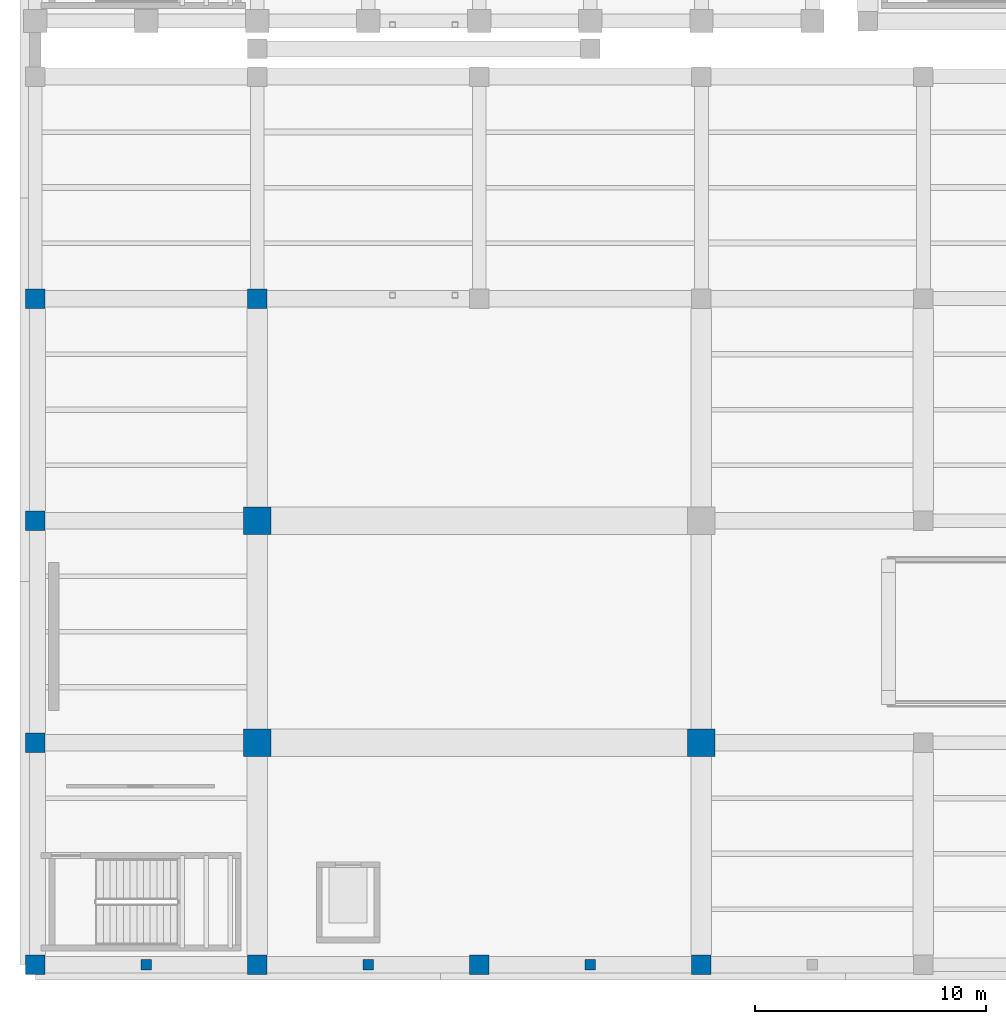
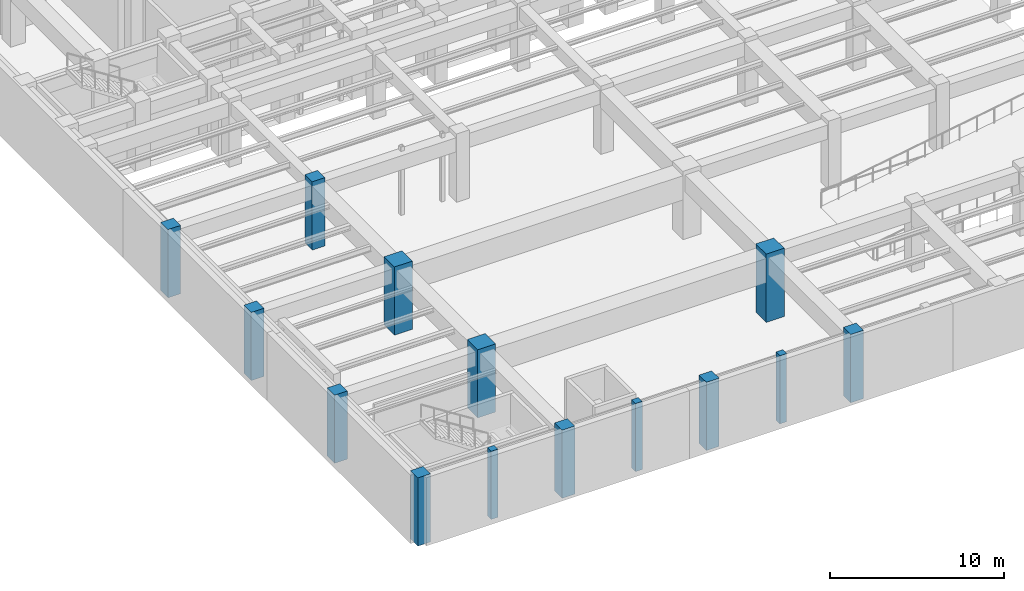
# One storey, part 1 of 45: 14 columns.
"""IFC4 building model written with IfcOpenShell, lengths in metres."""

from ifc_helpers import new_model, si_unit, direction, frame, origin, origin_2d, place, context, subcontext, project, spatial, rectangle, extrude, material, material_profile, profile_set, type_object, element, save


model = new_model("IFC4")

# Units and contexts
model_context = context("Model", 3, precision=1e-05, world=origin(), true_north=direction((0.0, 1.0)))
body_context = subcontext(model_context, "Body", "Model", "MODEL_VIEW")
ifc_project = project(units=[si_unit("LENGTHUNIT", "METRE"), si_unit("AREAUNIT", "SQUARE_METRE"), si_unit("VOLUMEUNIT", "CUBIC_METRE"), si_unit("PLANEANGLEUNIT", "RADIAN"), si_unit("MASSUNIT", "GRAM", prefix="KILO")], contexts=[model_context])

# Site, building, storey
site_placement = place(None, origin())
site = spatial("IfcSite", under=ifc_project, at=site_placement, CompositionType="ELEMENT")
building_placement = place(site_placement, origin())
building = spatial("IfcBuilding", under=site, at=building_placement, Name="Mavantir Sound Aquarium", CompositionType="ELEMENT")
storey_placement = place(building_placement, frame((0.0, 0.0, -4.800048828125)))
storey = spatial("IfcBuildingStorey", under=building, at=storey_placement, Name="B1", CompositionType="ELEMENT", Elevation=-4.800048828125)

# Columns
ifc_material = material(Name="Concrete C40/50", Category="concrete")
ifc_material_profile_1 = material_profile(ifc_material, rectangle(XDim=1.199951171875, YDim=1.199951171875, at=origin_2d()), Name="RC 1200X1200")
ifc_profile_set_1 = profile_set([ifc_material_profile_1], Name="Concrete C40/50")
column_type_1 = type_object("IfcColumnType", Name="COL-RC1200-I", PredefinedType="COLUMN", material=ifc_profile_set_1)
for number, where, z_axis, x_axis, name in (
    (1, (9.60009765625, 9.60009765625, 0.0), (0.0, 0.0, 1.0), (1.0, 0.0, 0.0), "B1 column RC-C12 (V3)"),
    (2, (9.60009765625, 19.199951171875, 0.0), (0.0, 0.0, 1.0), (1.0, 0.0, 0.0), "B1 column RC-C12 (V3)"),
    (3, (28.800048828125, 9.60009765625, 0.0), (0.0, 0.0, 1.0), (1.0, 0.0, 0.0), "B1 column RC-C12 (V3)"),
):
    element("IfcColumn", number, at=place(storey_placement, frame(where, z_axis=z_axis, x_axis=x_axis)), inside=storey, type_object=column_type_1, Name=name, PredefinedType="COLUMN", context=body_context, shape_type="SweptSolid", body=[
        extrude(rectangle(XDim=1.199951171875, YDim=1.199951171875, at=origin_2d()), origin(), (0.0, 0.0, 1.0), 4.800048828125),
    ])
ifc_material_profile_2 = material_profile(ifc_material, rectangle(XDim=0.449951171875, YDim=0.449951171875, at=origin_2d()), Name="RC 450X450")
ifc_profile_set_2 = profile_set([ifc_material_profile_2], Name="Concrete C40/50")
column_type_2 = type_object("IfcColumnType", Name="COL-RC450-E", PredefinedType="PILASTER", material=ifc_profile_set_2)
for number, where, z_axis, x_axis, name in (
    (4, (4.800048828125, 0.0, 0.0), (0.0, 0.0, 1.0), (1.0, 0.0, 0.0), "Postmodern facade pilaster B1.1"),
    (5, (14.39990234375, 0.0, 0.0), (0.0, 0.0, 1.0), (1.0, 0.0, 0.0), "Postmodern facade pilaster B1.2"),
    (6, (24.0, 0.0, 0.0), (0.0, 0.0, 1.0), (1.0, 0.0, 0.0), "Postmodern facade pilaster B1.3"),
):
    element("IfcColumn", number, at=place(storey_placement, frame(where, z_axis=z_axis, x_axis=x_axis)), inside=storey, type_object=column_type_2, Name=name, PredefinedType="PILASTER", context=body_context, shape_type="SweptSolid", body=[
        extrude(rectangle(XDim=0.449951171875, YDim=0.449951171875, at=origin_2d()), origin(), (0.0, 0.0, 1.0), 4.800048828125),
    ])
ifc_material_profile_3 = material_profile(ifc_material, rectangle(XDim=0.85009765625, YDim=0.85009765625, at=origin_2d()), Name="RC 850X850")
ifc_profile_set_3 = profile_set([ifc_material_profile_3], Name="Concrete C40/50")
column_type_3 = type_object("IfcColumnType", Name="COL-RC850-E", PredefinedType="COLUMN", material=ifc_profile_set_3)
for number, where, z_axis, x_axis, name in (
    (7, (0.0, 0.0, 0.0), (0.0, 0.0, 1.0), (1.0, 0.0, 0.0), "B1 column RC-C85 (V3)"),
    (8, (0.0, 9.60009765625, 0.0), (0.0, 0.0, 1.0), (1.0, 0.0, 0.0), "B1 column RC-C85 (V3)"),
    (9, (0.0, 19.199951171875, 0.0), (0.0, 0.0, 1.0), (1.0, 0.0, 0.0), "B1 column RC-C85 (V3)"),
    (10, (0.0, 28.800048828125, 0.0), (0.0, 0.0, 1.0), (1.0, 0.0, 0.0), "B1 column RC-C85 (V3)"),
    (11, (9.60009765625, 0.0, 0.0), (0.0, 0.0, 1.0), (1.0, 0.0, 0.0), "B1 column RC-C85 (V3)"),
    (12, (19.199951171875, 0.0, 0.0), (0.0, 0.0, 1.0), (1.0, 0.0, 0.0), "B1 column RC-C85 (V3)"),
    (13, (28.800048828125, 0.0, 0.0), (0.0, 0.0, 1.0), (1.0, 0.0, 0.0), "B1 column RC-C85 (V3)"),
):
    element("IfcColumn", number, at=place(storey_placement, frame(where, z_axis=z_axis, x_axis=x_axis)), inside=storey, type_object=column_type_3, Name=name, PredefinedType="COLUMN", context=body_context, shape_type="SweptSolid", body=[
        extrude(rectangle(XDim=0.85009765625, YDim=0.85009765625, at=origin_2d()), origin(), (0.0, 0.0, 1.0), 4.800048828125),
    ])
ifc_material_profile_4 = material_profile(ifc_material, rectangle(XDim=0.85009765625, YDim=0.85009765625, at=origin_2d()), Name="RC 850X850")
ifc_profile_set_4 = profile_set([ifc_material_profile_4], Name="Concrete C40/50")
column_type_4 = type_object("IfcColumnType", Name="COL-RC850-I", PredefinedType="COLUMN", material=ifc_profile_set_4)
column_placement = place(storey_placement, frame((9.60009765625, 28.800048828125, 0.0), z_axis=(0.0, 0.0, 1.0), x_axis=(1.0, 0.0, 0.0)))
element("IfcColumn", 14, at=column_placement, inside=storey, type_object=column_type_4, Name="B1 column RC-C85 (V3)", PredefinedType="COLUMN", context=body_context, shape_type="SweptSolid", body=[
    extrude(rectangle(XDim=0.85009765625, YDim=0.85009765625, at=origin_2d()), origin(), (0.0, 0.0, 1.0), 4.800048828125),
])

save(model, "model.ifc")
